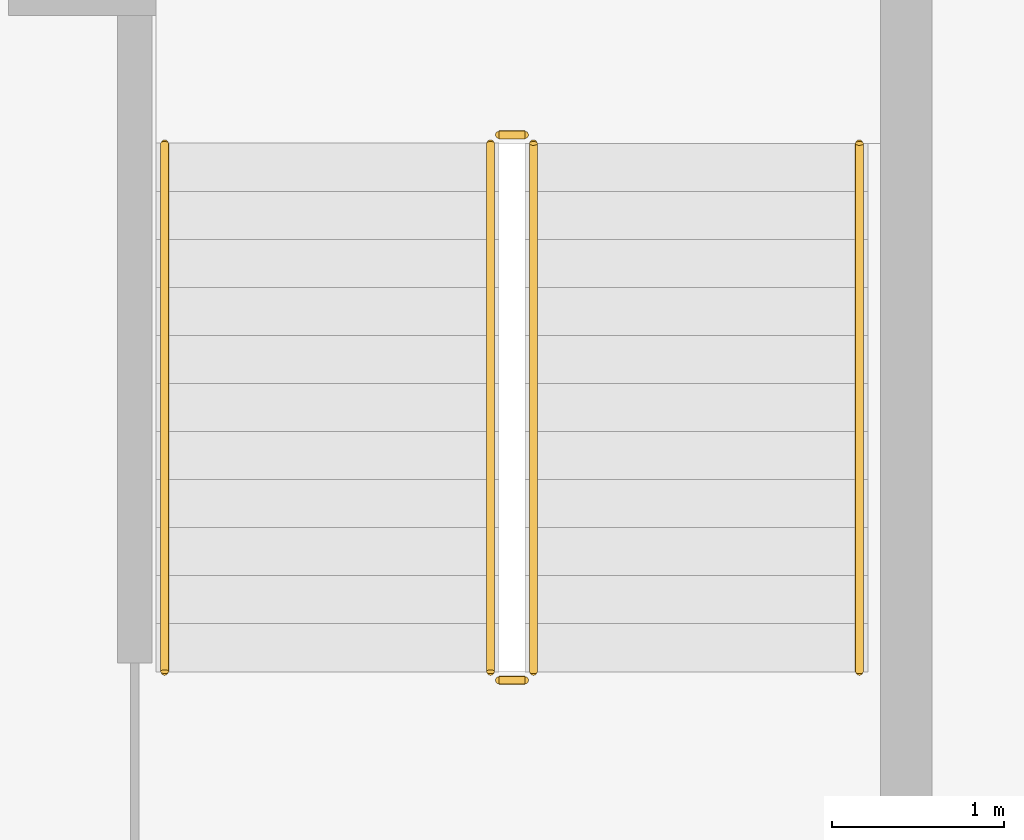
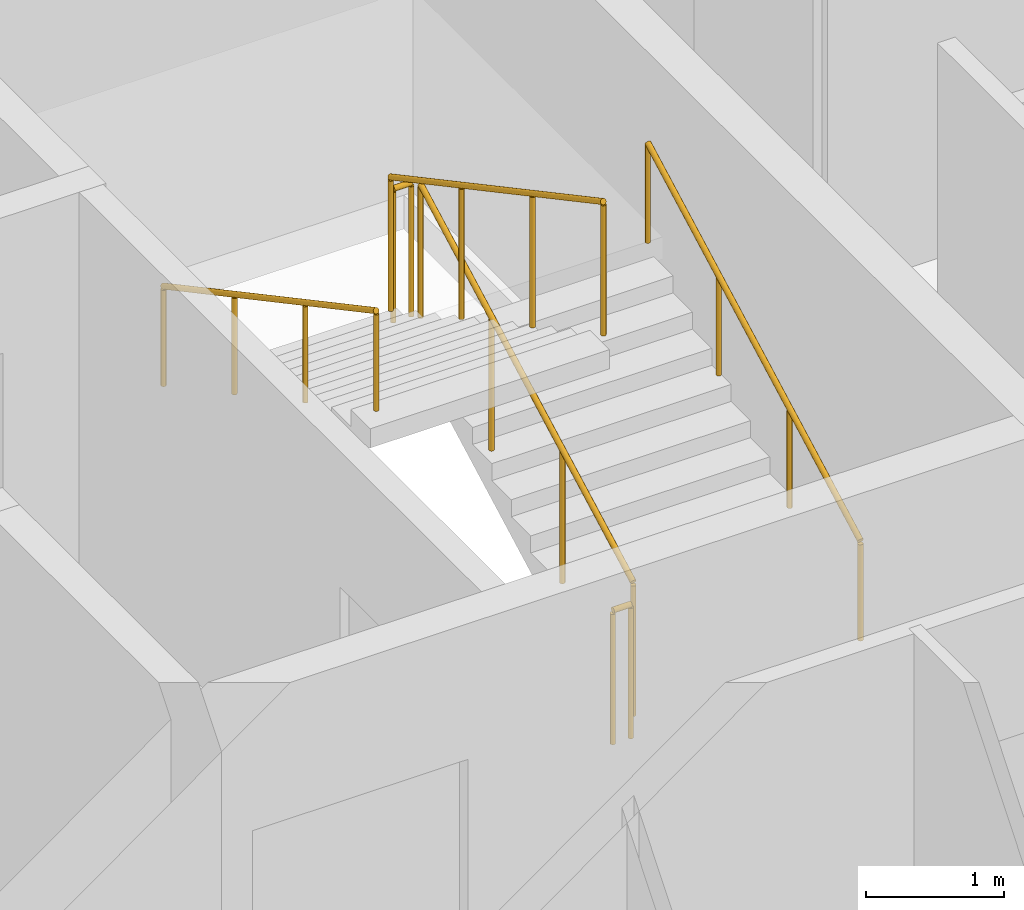
# One storey, part 15 of 15: 6 railings.
"""IFC4 building model written with IfcOpenShell, lengths in metres."""

from ifc_helpers import new_model, si_unit, direction, frame, origin, origin_2d, place, context, subcontext, project, spatial, circle, extrude, material, type_object, element, save


model = new_model("IFC4")

# Units and contexts
model_context = context("Model", 3, precision=1e-05, world=origin(), true_north=direction((0.0, 1.0)))
body_context = subcontext(model_context, "Body", "Model", "MODEL_VIEW")
ifc_project = project(units=[si_unit("LENGTHUNIT", "METRE"), si_unit("AREAUNIT", "SQUARE_METRE"), si_unit("VOLUMEUNIT", "CUBIC_METRE"), si_unit("PLANEANGLEUNIT", "RADIAN"), si_unit("MASSUNIT", "GRAM", prefix="KILO")], contexts=[model_context])

# Site, building, storey
site_placement = place(None, origin())
site = spatial("IfcSite", under=ifc_project, at=site_placement, CompositionType="ELEMENT")
building_placement = place(site_placement, origin())
building = spatial("IfcBuilding", under=site, at=building_placement, Name="Caravel Reach Hotel and Residences", CompositionType="ELEMENT")
storey_placement = place(building_placement, frame((0.0, 0.0, 122.39990234375)))
storey = spatial("IfcBuildingStorey", under=building, at=storey_placement, Name="L30", CompositionType="ELEMENT", Elevation=122.39990234375)

# Railings
ifc_material_1 = material(Name="Steel balustrade with glass infill", Category="steel")
railing_type_1 = type_object("IfcRailingType", Name="Guard 1200", PredefinedType="GUARDRAIL", material=ifc_material_1)
railing_1_placement = place(storey_placement, frame((42.824951171875, 24.64990234375, 0.150146484375)))
element("IfcRailing", 1, at=railing_1_placement, inside=storey, type_object=railing_type_1, Name="L30 ST-B stair guard 1", PredefinedType="GUARDRAIL", context=body_context, shape_type="SweptSolid", body=[
    extrude(circle(Radius=0.02392578125, at=origin_2d()), frame((0.0, 0.0, 1.17578125), z_axis=(0.0, 0.881496589024, 0.472190389079), x_axis=(-1.0, 0.0, 0.0)), (0.0, 0.0, 1.0), 3.494140625),
    extrude(circle(Radius=0.02099609375, at=origin_2d()), origin(), (0.0, 0.0, 1.0), 1.15185546875),
    extrude(circle(Radius=0.02099609375, at=origin_2d()), frame((0.0, 1.026611328125, 0.550048828125)), (0.0, 0.0, 1.0), 1.15185546875),
    extrude(circle(Radius=0.02099609375, at=origin_2d()), frame((0.0, 2.053466796875, 1.099853515625)), (0.0, 0.0, 1.0), 1.15185546875),
    extrude(circle(Radius=0.02099609375, at=origin_2d()), frame((0.0, 3.080078125, 1.64990234375)), (0.0, 0.0, 1.0), 1.15185546875),
])
railing_2_placement = place(storey_placement, frame((42.77490234375, 27.780029296875, 1.800048828125)))
element("IfcRailing", 2, at=railing_2_placement, inside=storey, type_object=railing_type_1, Name="L30 ST-B stair guard 2", PredefinedType="GUARDRAIL", context=body_context, shape_type="SweptSolid", body=[
    extrude(circle(Radius=0.02392578125, at=origin_2d()), frame((0.0, 0.0, 1.17578125), z_axis=(-1.0, 0.0, 0.0), x_axis=(0.0, -1.0, 0.0)), (0.0, 0.0, 1.0), 0.14990234375),
    extrude(circle(Radius=0.02099609375, at=origin_2d()), origin(), (0.0, 0.0, 1.0), 1.15185546875),
    extrude(circle(Radius=0.02099609375, at=origin_2d()), frame((-0.14990234375, 0.0, 0.0)), (0.0, 0.0, 1.0), 1.15185546875),
])
railing_3_placement = place(storey_placement, frame((42.574951171875, 27.72998046875, 1.9501953125)))
element("IfcRailing", 3, at=railing_3_placement, inside=storey, type_object=railing_type_1, Name="L30 ST-B stair guard 3", PredefinedType="GUARDRAIL", context=body_context, shape_type="SweptSolid", body=[
    extrude(circle(Radius=0.02392578125, at=origin_2d()), frame((0.0, 0.0, 1.17578125), z_axis=(0.0, -0.881496589024, 0.472190389079), x_axis=(1.0, 0.0, 0.0)), (0.0, 0.0, 1.0), 3.494140625),
    extrude(circle(Radius=0.02099609375, at=origin_2d()), origin(), (0.0, 0.0, 1.0), 1.15185546875),
    extrude(circle(Radius=0.02099609375, at=origin_2d()), frame((0.0, -1.026611328125, 0.550048828125)), (0.0, 0.0, 1.0), 1.15185546875),
    extrude(circle(Radius=0.02099609375, at=origin_2d()), frame((0.0, -2.053466796875, 1.099853515625)), (0.0, 0.0, 1.0), 1.15185546875),
    extrude(circle(Radius=0.02099609375, at=origin_2d()), frame((0.0, -3.080078125, 1.64990234375)), (0.0, 0.0, 1.0), 1.15185546875),
])
railing_4_placement = place(storey_placement, frame((42.77490234375, 24.60009765625, 0.0)))
element("IfcRailing", 4, at=railing_4_placement, inside=storey, type_object=railing_type_1, Name="L30 ST-B stair guard 4", PredefinedType="GUARDRAIL", context=body_context, shape_type="SweptSolid", body=[
    extrude(circle(Radius=0.02392578125, at=origin_2d()), frame((0.0, 0.0, 1.17578125), z_axis=(-1.0, 0.0, 0.0), x_axis=(0.0, -1.0, 0.0)), (0.0, 0.0, 1.0), 0.14990234375),
    extrude(circle(Radius=0.02099609375, at=origin_2d()), origin(), (0.0, 0.0, 1.0), 1.15185546875),
    extrude(circle(Radius=0.02099609375, at=origin_2d()), frame((-0.14990234375, 0.0, 0.0)), (0.0, 0.0, 1.0), 1.15185546875),
])
ifc_material_2 = material(Name="Stainless steel handrail", Category="steel")
railing_type_2 = type_object("IfcRailingType", Name="Handrail 900", PredefinedType="HANDRAIL", material=ifc_material_2)
railing_5_placement = place(storey_placement, frame((44.72509765625, 24.64990234375, 0.150146484375)))
element("IfcRailing", 5, at=railing_5_placement, inside=storey, type_object=railing_type_2, Name="L30 ST-B stair handrail 1", PredefinedType="HANDRAIL", context=body_context, shape_type="SweptSolid", body=[
    extrude(circle(Radius=0.02392578125, at=origin_2d()), frame((0.0, 0.0, 0.8759765625), z_axis=(0.0, 0.881496589024, 0.472190389079), x_axis=(-1.0, 0.0, 0.0)), (0.0, 0.0, 1.0), 3.494140625),
    extrude(circle(Radius=0.02099609375, at=origin_2d()), origin(), (0.0, 0.0, 1.0), 0.851806640625),
    extrude(circle(Radius=0.02099609375, at=origin_2d()), frame((0.0, 1.026611328125, 0.550048828125)), (0.0, 0.0, 1.0), 0.851806640625),
    extrude(circle(Radius=0.02099609375, at=origin_2d()), frame((0.0, 2.053466796875, 1.099853515625)), (0.0, 0.0, 1.0), 0.851806640625),
    extrude(circle(Radius=0.02099609375, at=origin_2d()), frame((0.0, 3.080078125, 1.64990234375)), (0.0, 0.0, 1.0), 0.851806640625),
])
railing_6_placement = place(storey_placement, frame((40.675048828125, 27.72998046875, 1.9501953125)))
element("IfcRailing", 6, at=railing_6_placement, inside=storey, type_object=railing_type_2, Name="L30 ST-B stair handrail 2", PredefinedType="HANDRAIL", context=body_context, shape_type="SweptSolid", body=[
    extrude(circle(Radius=0.02392578125, at=origin_2d()), frame((0.0, 0.0, 0.8759765625), z_axis=(0.0, -0.881496589024, 0.472190389079), x_axis=(1.0, 0.0, 0.0)), (0.0, 0.0, 1.0), 3.494140625),
    extrude(circle(Radius=0.02099609375, at=origin_2d()), origin(), (0.0, 0.0, 1.0), 0.851806640625),
    extrude(circle(Radius=0.02099609375, at=origin_2d()), frame((0.0, -1.026611328125, 0.550048828125)), (0.0, 0.0, 1.0), 0.851806640625),
    extrude(circle(Radius=0.02099609375, at=origin_2d()), frame((0.0, -2.053466796875, 1.099853515625)), (0.0, 0.0, 1.0), 0.851806640625),
    extrude(circle(Radius=0.02099609375, at=origin_2d()), frame((0.0, -3.080078125, 1.64990234375)), (0.0, 0.0, 1.0), 0.851806640625),
])

save(model, "model.ifc")
